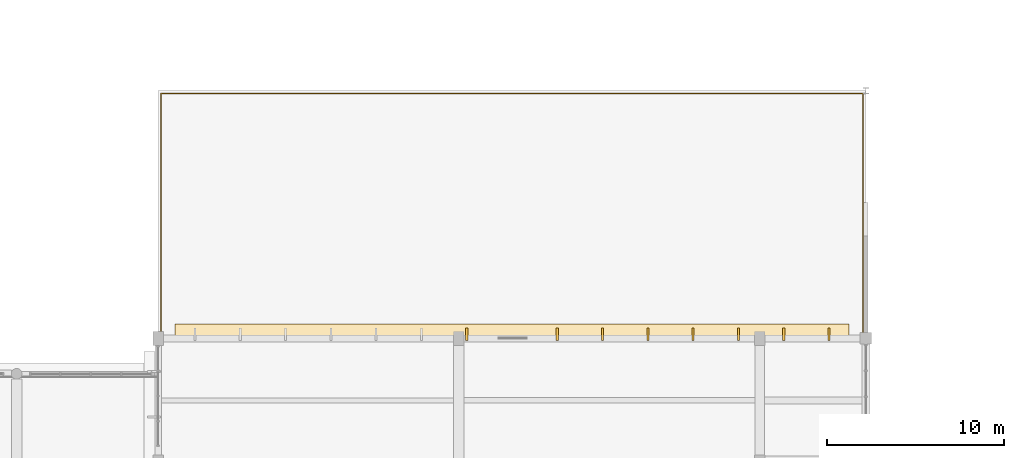
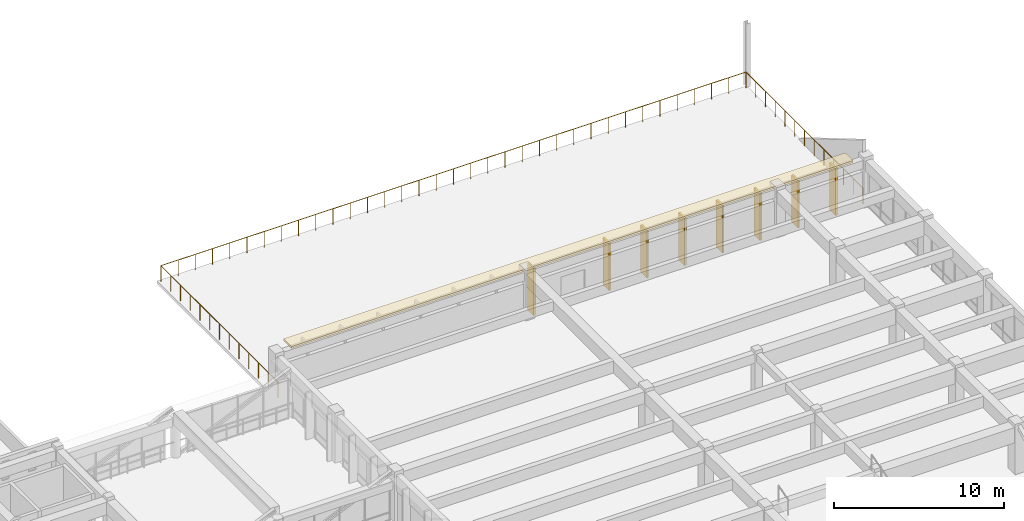
# One storey, part 77 of 77: 9 coverings, 1 railing.
"""IFC4 building model written with IfcOpenShell, lengths in metres."""

from ifc_helpers import new_model, si_unit, direction, frame, origin, origin_2d, place, context, subcontext, project, spatial, rectangle, circle, extrude, material, layer, layer_set, type_object, element, save


model = new_model("IFC4")

# Units and contexts
model_context = context("Model", 3, precision=1e-05, world=origin(), true_north=direction((0.0, 1.0)))
body_context = subcontext(model_context, "Body", "Model", "MODEL_VIEW")
ifc_project = project(units=[si_unit("LENGTHUNIT", "METRE"), si_unit("AREAUNIT", "SQUARE_METRE"), si_unit("VOLUMEUNIT", "CUBIC_METRE"), si_unit("PLANEANGLEUNIT", "RADIAN"), si_unit("MASSUNIT", "GRAM", prefix="KILO")], contexts=[model_context])

# Site, building, storey
site_placement = place(None, origin())
site = spatial("IfcSite", under=ifc_project, at=site_placement, CompositionType="ELEMENT")
building_placement = place(site_placement, origin())
building = spatial("IfcBuilding", under=site, at=building_placement, Name="Larkveld Mobility Hub", CompositionType="ELEMENT")
storey_placement = place(building_placement, frame((0.0, 0.0, 12.0)))
storey = spatial("IfcBuildingStorey", under=building, at=storey_placement, Name="L03", CompositionType="ELEMENT", Elevation=12.0)

# Coverings
ifc_material_1 = material(Name="Precast concrete C50/60", Category="concrete")
ifc_layer_1 = layer(ifc_material_1, 0.14990234375, Name="Precast concrete C50/60", Category="concrete")
ifc_layer_set_1 = layer_set([ifc_layer_1], Name="Precast concrete C50/60")
covering_type_1 = type_object("IfcCoveringType", Name="COV-QSL-H01", PredefinedType="CLADDING", material=ifc_layer_set_1)
covering_placement = place(storey_placement, frame((132.0, 98.340087890625, 3.3701171875), z_axis=(0.0, 0.0, 1.0), x_axis=(-1.0, 0.0, 0.0)))
element("IfcCovering", 1, at=covering_placement, inside=storey, type_object=covering_type_1, Name="Precast Quebra-Sol Horizontal Sunbreaker QSH-530", PredefinedType="CLADDING", context=body_context, shape_type="SweptSolid", body=[
    extrude(rectangle(XDim=38.10009765625, YDim=0.919921875, at=origin_2d()), origin(), (0.0, 0.0, 1.0), 0.14990234375),
])
ifc_layer_2 = layer(ifc_material_1, 0.1201171875, Name="Precast concrete C50/60", Category="concrete")
ifc_layer_set_2 = layer_set([ifc_layer_2], Name="Precast concrete C50/60")
covering_type_2 = type_object("IfcCoveringType", Name="COV-QSL-V01", PredefinedType="CLADDING", material=ifc_layer_set_2)
for number, where, z_axis, x_axis, name in (
    (2, (149.919921875, 98.239990234375, -0.01953125), (0.0, 0.0, 1.0), (-1.0, 0.0, 0.0), "Precast Quebra-Sol Vertical Fin QSV-531"),
    (3, (147.360107421875, 98.239990234375, -0.01953125), (0.0, 0.0, 1.0), (-1.0, 0.0, 0.0), "Precast Quebra-Sol Vertical Fin QSV-532"),
    (4, (144.800048828125, 98.239990234375, -0.01953125), (0.0, 0.0, 1.0), (-1.0, 0.0, 0.0), "Precast Quebra-Sol Vertical Fin QSV-533"),
    (5, (142.239990234375, 98.239990234375, -0.01953125), (0.0, 0.0, 1.0), (-1.0, 0.0, 0.0), "Precast Quebra-Sol Vertical Fin QSV-534"),
    (6, (139.679931640625, 98.239990234375, -0.01953125), (0.0, 0.0, 1.0), (-1.0, 0.0, 0.0), "Precast Quebra-Sol Vertical Fin QSV-535"),
    (7, (137.1201171875, 98.239990234375, -0.01953125), (0.0, 0.0, 1.0), (-1.0, 0.0, 0.0), "Precast Quebra-Sol Vertical Fin QSV-536"),
    (8, (134.56005859375, 98.239990234375, -0.01953125), (0.0, 0.0, 1.0), (-1.0, 0.0, 0.0), "Precast Quebra-Sol Vertical Fin QSV-537"),
    (9, (129.43994140625, 98.239990234375, -0.01953125), (0.0, 0.0, 1.0), (-1.0, 0.0, 0.0), "Precast Quebra-Sol Vertical Fin QSV-538"),
):
    element("IfcCovering", number, at=place(storey_placement, frame(where, z_axis=z_axis, x_axis=x_axis)), inside=storey, type_object=covering_type_2, Name=name, PredefinedType="CLADDING", context=body_context, shape_type="SweptSolid", body=[
        extrude(rectangle(XDim=0.1201171875, YDim=0.719970703125, at=origin_2d()), origin(), (0.0, 0.0, 1.0), 3.375),
    ])

# Railing
ifc_material_2 = material(Name="Anodized aluminium 6063-T6 balustrade", Category="aluminium")
railing_type = type_object("IfcRailingType", Name="RL-GRD-1150", PredefinedType="GUARDRAIL", material=ifc_material_2)
railing_placement = place(storey_placement, frame((112.159912109375, 98.080078125, 0.0)))
element("IfcRailing", 10, at=railing_placement, inside=storey, type_object=railing_type, Name="EV Wing L03 North Terrace Guard L03-052", PredefinedType="GUARDRAIL", context=body_context, shape_type="SweptSolid", body=[
    extrude(circle(Radius=0.02392578125, at=origin_2d()), frame((0.0, 0.0, 1.1259765625), z_axis=(0.0, 1.0, 0.0), x_axis=(-1.0, 0.0, 0.0)), (0.0, 0.0, 1.0), 13.760009765625),
    extrude(circle(Radius=0.02392578125, at=origin_2d()), frame((0.0, 13.760009765625, 1.1259765625), z_axis=(1.0, 0.0, 0.0), x_axis=(0.0, 1.0, 0.0)), (0.0, 0.0, 1.0), 39.68017578125),
    extrude(circle(Radius=0.02392578125, at=origin_2d()), frame((39.68017578125, 13.760009765625, 1.1259765625), z_axis=(0.0, -1.0, 0.0), x_axis=(1.0, 0.0, 0.0)), (0.0, 0.0, 1.0), 13.760009765625),
    extrude(circle(Radius=0.02099609375, at=origin_2d()), origin(), (0.0, 0.0, 1.0), 1.101806640625),
    extrude(circle(Radius=0.02099609375, at=origin_2d()), frame((0.0, 1.146728515625, 0.0)), (0.0, 0.0, 1.0), 1.101806640625),
    extrude(circle(Radius=0.02099609375, at=origin_2d()), frame((0.0, 2.29345703125, 0.0)), (0.0, 0.0, 1.0), 1.101806640625),
    extrude(circle(Radius=0.02099609375, at=origin_2d()), frame((0.0, 3.43994140625, 0.0)), (0.0, 0.0, 1.0), 1.101806640625),
    extrude(circle(Radius=0.02099609375, at=origin_2d()), frame((0.0, 4.586669921875, 0.0)), (0.0, 0.0, 1.0), 1.101806640625),
    extrude(circle(Radius=0.02099609375, at=origin_2d()), frame((0.0, 5.7333984375, 0.0)), (0.0, 0.0, 1.0), 1.101806640625),
    extrude(circle(Radius=0.02099609375, at=origin_2d()), frame((0.0, 6.8798828125, 0.0)), (0.0, 0.0, 1.0), 1.101806640625),
    extrude(circle(Radius=0.02099609375, at=origin_2d()), frame((0.0, 8.026611328125, 0.0)), (0.0, 0.0, 1.0), 1.101806640625),
    extrude(circle(Radius=0.02099609375, at=origin_2d()), frame((0.0, 9.17333984375, 0.0)), (0.0, 0.0, 1.0), 1.101806640625),
    extrude(circle(Radius=0.02099609375, at=origin_2d()), frame((0.0, 10.320068359375, 0.0)), (0.0, 0.0, 1.0), 1.101806640625),
    extrude(circle(Radius=0.02099609375, at=origin_2d()), frame((0.0, 11.466796875, 0.0)), (0.0, 0.0, 1.0), 1.101806640625),
    extrude(circle(Radius=0.02099609375, at=origin_2d()), frame((0.0, 12.61328125, 0.0)), (0.0, 0.0, 1.0), 1.101806640625),
    extrude(circle(Radius=0.02099609375, at=origin_2d()), frame((0.0, 13.760009765625, 0.0)), (0.0, 0.0, 1.0), 1.101806640625),
    extrude(circle(Radius=0.02099609375, at=origin_2d()), frame((1.1669921875, 13.760009765625, 0.0)), (0.0, 0.0, 1.0), 1.101806640625),
    extrude(circle(Radius=0.02099609375, at=origin_2d()), frame((2.334228515625, 13.760009765625, 0.0)), (0.0, 0.0, 1.0), 1.101806640625),
    extrude(circle(Radius=0.02099609375, at=origin_2d()), frame((3.501220703125, 13.760009765625, 0.0)), (0.0, 0.0, 1.0), 1.101806640625),
    extrude(circle(Radius=0.02099609375, at=origin_2d()), frame((4.668212890625, 13.760009765625, 0.0)), (0.0, 0.0, 1.0), 1.101806640625),
    extrude(circle(Radius=0.02099609375, at=origin_2d()), frame((5.835205078125, 13.760009765625, 0.0)), (0.0, 0.0, 1.0), 1.101806640625),
    extrude(circle(Radius=0.02099609375, at=origin_2d()), frame((7.00244140625, 13.760009765625, 0.0)), (0.0, 0.0, 1.0), 1.101806640625),
    extrude(circle(Radius=0.02099609375, at=origin_2d()), frame((8.16943359375, 13.760009765625, 0.0)), (0.0, 0.0, 1.0), 1.101806640625),
    extrude(circle(Radius=0.02099609375, at=origin_2d()), frame((9.33642578125, 13.760009765625, 0.0)), (0.0, 0.0, 1.0), 1.101806640625),
    extrude(circle(Radius=0.02099609375, at=origin_2d()), frame((10.503662109375, 13.760009765625, 0.0)), (0.0, 0.0, 1.0), 1.101806640625),
    extrude(circle(Radius=0.02099609375, at=origin_2d()), frame((11.670654296875, 13.760009765625, 0.0)), (0.0, 0.0, 1.0), 1.101806640625),
    extrude(circle(Radius=0.02099609375, at=origin_2d()), frame((12.837646484375, 13.760009765625, 0.0)), (0.0, 0.0, 1.0), 1.101806640625),
    extrude(circle(Radius=0.02099609375, at=origin_2d()), frame((14.0048828125, 13.760009765625, 0.0)), (0.0, 0.0, 1.0), 1.101806640625),
    extrude(circle(Radius=0.02099609375, at=origin_2d()), frame((15.171875, 13.760009765625, 0.0)), (0.0, 0.0, 1.0), 1.101806640625),
    extrude(circle(Radius=0.02099609375, at=origin_2d()), frame((16.3388671875, 13.760009765625, 0.0)), (0.0, 0.0, 1.0), 1.101806640625),
    extrude(circle(Radius=0.02099609375, at=origin_2d()), frame((17.505859375, 13.760009765625, 0.0)), (0.0, 0.0, 1.0), 1.101806640625),
    extrude(circle(Radius=0.02099609375, at=origin_2d()), frame((18.673095703125, 13.760009765625, 0.0)), (0.0, 0.0, 1.0), 1.101806640625),
    extrude(circle(Radius=0.02099609375, at=origin_2d()), frame((19.840087890625, 13.760009765625, 0.0)), (0.0, 0.0, 1.0), 1.101806640625),
    extrude(circle(Radius=0.02099609375, at=origin_2d()), frame((21.007080078125, 13.760009765625, 0.0)), (0.0, 0.0, 1.0), 1.101806640625),
    extrude(circle(Radius=0.02099609375, at=origin_2d()), frame((22.17431640625, 13.760009765625, 0.0)), (0.0, 0.0, 1.0), 1.101806640625),
    extrude(circle(Radius=0.02099609375, at=origin_2d()), frame((23.34130859375, 13.760009765625, 0.0)), (0.0, 0.0, 1.0), 1.101806640625),
    extrude(circle(Radius=0.02099609375, at=origin_2d()), frame((24.50830078125, 13.760009765625, 0.0)), (0.0, 0.0, 1.0), 1.101806640625),
    extrude(circle(Radius=0.02099609375, at=origin_2d()), frame((25.67529296875, 13.760009765625, 0.0)), (0.0, 0.0, 1.0), 1.101806640625),
    extrude(circle(Radius=0.02099609375, at=origin_2d()), frame((26.842529296875, 13.760009765625, 0.0)), (0.0, 0.0, 1.0), 1.101806640625),
    extrude(circle(Radius=0.02099609375, at=origin_2d()), frame((28.009521484375, 13.760009765625, 0.0)), (0.0, 0.0, 1.0), 1.101806640625),
    extrude(circle(Radius=0.02099609375, at=origin_2d()), frame((29.176513671875, 13.760009765625, 0.0)), (0.0, 0.0, 1.0), 1.101806640625),
    extrude(circle(Radius=0.02099609375, at=origin_2d()), frame((30.34375, 13.760009765625, 0.0)), (0.0, 0.0, 1.0), 1.101806640625),
    extrude(circle(Radius=0.02099609375, at=origin_2d()), frame((31.5107421875, 13.760009765625, 0.0)), (0.0, 0.0, 1.0), 1.101806640625),
    extrude(circle(Radius=0.02099609375, at=origin_2d()), frame((32.677734375, 13.760009765625, 0.0)), (0.0, 0.0, 1.0), 1.101806640625),
    extrude(circle(Radius=0.02099609375, at=origin_2d()), frame((33.844970703125, 13.760009765625, 0.0)), (0.0, 0.0, 1.0), 1.101806640625),
    extrude(circle(Radius=0.02099609375, at=origin_2d()), frame((35.011962890625, 13.760009765625, 0.0)), (0.0, 0.0, 1.0), 1.101806640625),
    extrude(circle(Radius=0.02099609375, at=origin_2d()), frame((36.178955078125, 13.760009765625, 0.0)), (0.0, 0.0, 1.0), 1.101806640625),
    extrude(circle(Radius=0.02099609375, at=origin_2d()), frame((37.345947265625, 13.760009765625, 0.0)), (0.0, 0.0, 1.0), 1.101806640625),
    extrude(circle(Radius=0.02099609375, at=origin_2d()), frame((38.51318359375, 13.760009765625, 0.0)), (0.0, 0.0, 1.0), 1.101806640625),
    extrude(circle(Radius=0.02099609375, at=origin_2d()), frame((39.68017578125, 13.760009765625, 0.0)), (0.0, 0.0, 1.0), 1.101806640625),
    extrude(circle(Radius=0.02099609375, at=origin_2d()), frame((39.68017578125, 12.61328125, 0.0)), (0.0, 0.0, 1.0), 1.101806640625),
    extrude(circle(Radius=0.02099609375, at=origin_2d()), frame((39.68017578125, 11.466796875, 0.0)), (0.0, 0.0, 1.0), 1.101806640625),
    extrude(circle(Radius=0.02099609375, at=origin_2d()), frame((39.68017578125, 10.320068359375, 0.0)), (0.0, 0.0, 1.0), 1.101806640625),
    extrude(circle(Radius=0.02099609375, at=origin_2d()), frame((39.68017578125, 9.17333984375, 0.0)), (0.0, 0.0, 1.0), 1.101806640625),
    extrude(circle(Radius=0.02099609375, at=origin_2d()), frame((39.68017578125, 8.026611328125, 0.0)), (0.0, 0.0, 1.0), 1.101806640625),
    extrude(circle(Radius=0.02099609375, at=origin_2d()), frame((39.68017578125, 6.8798828125, 0.0)), (0.0, 0.0, 1.0), 1.101806640625),
    extrude(circle(Radius=0.02099609375, at=origin_2d()), frame((39.68017578125, 5.7333984375, 0.0)), (0.0, 0.0, 1.0), 1.101806640625),
    extrude(circle(Radius=0.02099609375, at=origin_2d()), frame((39.68017578125, 4.586669921875, 0.0)), (0.0, 0.0, 1.0), 1.101806640625),
    extrude(circle(Radius=0.02099609375, at=origin_2d()), frame((39.68017578125, 3.43994140625, 0.0)), (0.0, 0.0, 1.0), 1.101806640625),
    extrude(circle(Radius=0.02099609375, at=origin_2d()), frame((39.68017578125, 2.29345703125, 0.0)), (0.0, 0.0, 1.0), 1.101806640625),
    extrude(circle(Radius=0.02099609375, at=origin_2d()), frame((39.68017578125, 1.146728515625, 0.0)), (0.0, 0.0, 1.0), 1.101806640625),
    extrude(circle(Radius=0.02099609375, at=origin_2d()), frame((39.68017578125, 0.0, 0.0)), (0.0, 0.0, 1.0), 1.101806640625),
])

save(model, "model.ifc")
